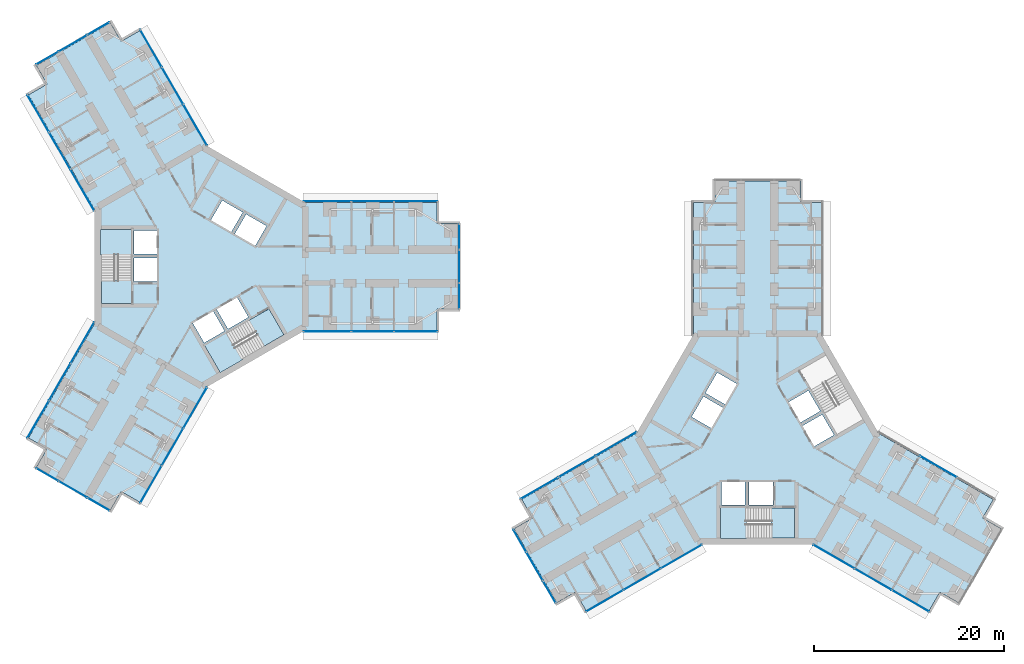
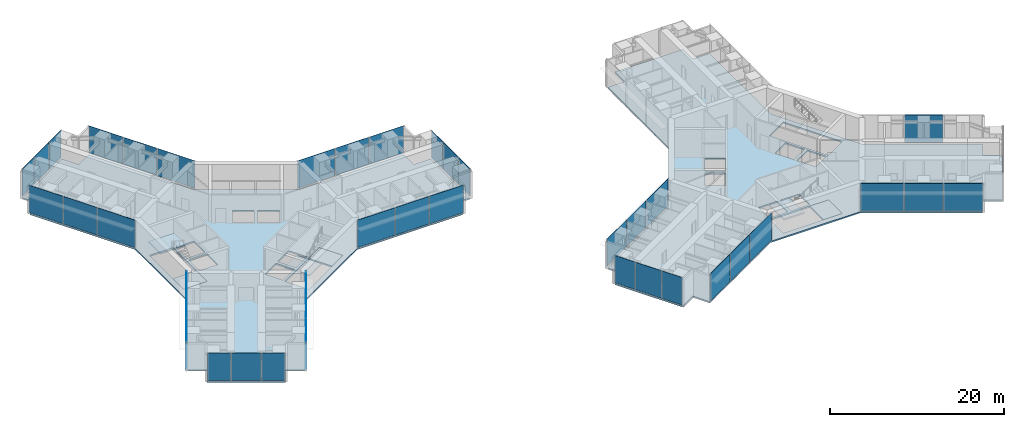
# One storey, part 14 of 24: 40 plates, 8 slabs, 17 elements without a shape of their own.
"""IFC4 building model written with IfcOpenShell, lengths in metres."""

from ifc_helpers import new_model, si_unit, direction, frame, origin, origin_2d, place, context, subcontext, project, spatial, polyline, rectangle, outline, extrude, material, layer, layer_set, type_object, element, aggregate, save


model = new_model("IFC4")

# Units and contexts
model_context = context("Model", 3, precision=1e-05, world=origin(), true_north=direction((0.0, 1.0)))
body_context = subcontext(model_context, "Body", "Model", "MODEL_VIEW")
ifc_project = project(units=[si_unit("LENGTHUNIT", "METRE"), si_unit("AREAUNIT", "SQUARE_METRE"), si_unit("VOLUMEUNIT", "CUBIC_METRE"), si_unit("PLANEANGLEUNIT", "RADIAN"), si_unit("MASSUNIT", "GRAM", prefix="KILO")], contexts=[model_context])

# Site, building, storey
site_placement = place(None, origin())
site = spatial("IfcSite", under=ifc_project, at=site_placement, CompositionType="ELEMENT")
building_placement = place(site_placement, origin())
building = spatial("IfcBuilding", under=site, at=building_placement, Name="Upepo Twin Towers", CompositionType="ELEMENT")
storey_placement = place(building_placement, frame((0.0, 0.0, 64.5)))
storey = spatial("IfcBuildingStorey", under=building, at=storey_placement, Name="L15", CompositionType="ELEMENT", Elevation=64.5)

# Curtain wall, plates
ifc_material_1 = material(Name="Aluminium and fritted glass", Category="aluminium")
curtain_wall_type = type_object("IfcCurtainWallType", Name="Tower curtain wall TW1, fritted glass", PredefinedType="NOTDEFINED", material=ifc_material_1)
curtain_wall_1_placement = place(storey_placement, origin())
curtain_wall_1 = element("IfcCurtainWall", 1, at=curtain_wall_1_placement, inside=storey, type_object=curtain_wall_type, Name="T1 L15 wing A flank L curtain wall", PredefinedType="NOTDEFINED")
ifc_material_2 = material(Name="Ceramic-fritted laminated glass", Category="glass")
ifc_layer_1 = layer(ifc_material_2, 0.031982421875)
ifc_layer_set_1 = layer_set([ifc_layer_1], Name="Fritted glass panel, 25 per cent dot frit, 32 mm double glazed")
plate_type_1 = type_object("IfcPlateType", Name="Fritted glass panel, 25 per cent dot frit, 32 mm double glazed", PredefinedType="CURTAIN_PANEL", material=ifc_layer_set_1)
plate_1_placement = place(storey_placement, frame((13.23486328125, 6.85009765625, 0.14990234375), z_axis=(0.0, 0.0, 1.0), x_axis=(1.0, 0.0, 0.0)))
plate_1 = element("IfcPlate", 2, at=plate_1_placement, type_object=plate_type_1, Name="T1 L15 wing A flank L curtain wall panel 1", PredefinedType="CURTAIN_PANEL", context=body_context, shape_type="SweptSolid", body=[
    extrude(rectangle(XDim=4.96533203125, YDim=0.031982421875, at=origin_2d()), origin(), (0.0, 0.0, 1.0), 3.85009765625),
])
plate_2_placement = place(storey_placement, frame((18.0, 6.85009765625, 0.14990234375), z_axis=(0.0, 0.0, 1.0), x_axis=(1.0, 0.0, 0.0)))
plate_2 = element("IfcPlate", 3, at=plate_2_placement, type_object=plate_type_1, Name="T1 L15 wing A flank L curtain wall panel 2", PredefinedType="CURTAIN_PANEL", context=body_context, shape_type="SweptSolid", body=[
    extrude(rectangle(XDim=4.43505859375, YDim=0.031982421875, at=origin_2d()), origin(), (0.0, 0.0, 1.0), 3.85009765625),
])
plate_3_placement = place(storey_placement, frame((22.53369140625, 6.85009765625, 0.14990234375), z_axis=(0.0, 0.0, 1.0), x_axis=(1.0, 0.0, 0.0)))
plate_3 = element("IfcPlate", 4, at=plate_3_placement, type_object=plate_type_1, Name="T1 L15 wing A flank L curtain wall panel 3", PredefinedType="CURTAIN_PANEL", context=body_context, shape_type="SweptSolid", body=[
    extrude(rectangle(XDim=4.50244140625, YDim=0.031982421875, at=origin_2d()), origin(), (0.0, 0.0, 1.0), 3.85009765625),
])
aggregate(curtain_wall_1, [plate_1, plate_2, plate_3])

curtain_wall_2_placement = place(storey_placement, origin())
curtain_wall_2 = element("IfcCurtainWall", 5, at=curtain_wall_2_placement, inside=storey, type_object=curtain_wall_type, Name="T1 L15 wing A flank R curtain wall", PredefinedType="NOTDEFINED")
plate_4_placement = place(storey_placement, frame((22.53369140625, -6.85009765625, 0.14990234375), z_axis=(0.0, 0.0, 1.0), x_axis=(-1.0, 0.0, 0.0)))
plate_4 = element("IfcPlate", 6, at=plate_4_placement, type_object=plate_type_1, Name="T1 L15 wing A flank R curtain wall panel 1", PredefinedType="CURTAIN_PANEL", context=body_context, shape_type="SweptSolid", body=[
    extrude(rectangle(XDim=4.50244140625, YDim=0.031982421875, at=origin_2d()), origin(), (0.0, 0.0, 1.0), 3.85009765625),
])
plate_5_placement = place(storey_placement, frame((18.0, -6.85009765625, 0.14990234375), z_axis=(0.0, 0.0, 1.0), x_axis=(-1.0, 0.0, 0.0)))
plate_5 = element("IfcPlate", 7, at=plate_5_placement, type_object=plate_type_1, Name="T1 L15 wing A flank R curtain wall panel 2", PredefinedType="CURTAIN_PANEL", context=body_context, shape_type="SweptSolid", body=[
    extrude(rectangle(XDim=4.43505859375, YDim=0.031982421875, at=origin_2d()), origin(), (0.0, 0.0, 1.0), 3.85009765625),
])
plate_6_placement = place(storey_placement, frame((13.23486328125, -6.85009765625, 0.14990234375), z_axis=(0.0, 0.0, 1.0), x_axis=(-1.0, 0.0, 0.0)))
plate_6 = element("IfcPlate", 8, at=plate_6_placement, type_object=plate_type_1, Name="T1 L15 wing A flank R curtain wall panel 3", PredefinedType="CURTAIN_PANEL", context=body_context, shape_type="SweptSolid", body=[
    extrude(rectangle(XDim=4.96533203125, YDim=0.031982421875, at=origin_2d()), origin(), (0.0, 0.0, 1.0), 3.85009765625),
])
aggregate(curtain_wall_2, [plate_4, plate_5, plate_6])

# Curtain wall, plate
curtain_wall_3_placement = place(storey_placement, origin())
curtain_wall_3 = element("IfcCurtainWall", 9, at=curtain_wall_3_placement, inside=storey, type_object=curtain_wall_type, Name="T1 L15 wing A nose curtain wall", PredefinedType="NOTDEFINED")
plate_7_placement = place(storey_placement, frame((27.10009765625, 0.0, 0.14990234375), z_axis=(0.0, 0.0, 1.0), x_axis=(0.0, 1.0, 0.0)))
plate_7 = element("IfcPlate", 10, at=plate_7_placement, type_object=plate_type_1, Name="T1 L15 wing A nose curtain wall panel 2", PredefinedType="CURTAIN_PANEL", context=body_context, shape_type="SweptSolid", body=[
    extrude(rectangle(XDim=3.43505859375, YDim=0.031982421875, at=origin_2d()), origin(), (0.0, 0.0, 1.0), 3.85009765625),
])

# Curtain wall, plates
curtain_wall_4_placement = place(storey_placement, origin())
curtain_wall_4 = element("IfcCurtainWall", 11, at=curtain_wall_4_placement, inside=storey, type_object=curtain_wall_type, Name="T1 L15 wing B flank L curtain wall", PredefinedType="NOTDEFINED")
plate_8_placement = place(storey_placement, frame((-12.549560546875, 8.03662109375, 0.14990234375), z_axis=(0.0, 0.0, 1.0), x_axis=(-0.500000024426, 0.866025389682, 0.0)))
plate_8 = element("IfcPlate", 12, at=plate_8_placement, type_object=plate_type_1, Name="T1 L15 wing B flank L curtain wall panel 1", PredefinedType="CURTAIN_PANEL", context=body_context, shape_type="SweptSolid", body=[
    extrude(rectangle(XDim=4.96533203125, YDim=0.031982421875, at=origin_2d()), origin(), (0.0, 0.0, 1.0), 3.85009765625),
])
plate_9_placement = place(storey_placement, frame((-14.932373046875, 12.16357421875, 0.14990234375), z_axis=(0.0, 0.0, 1.0), x_axis=(-0.500000024426, 0.866025389682, 0.0)))
plate_9 = element("IfcPlate", 13, at=plate_9_placement, type_object=plate_type_1, Name="T1 L15 wing B flank L curtain wall panel 2", PredefinedType="CURTAIN_PANEL", context=body_context, shape_type="SweptSolid", body=[
    extrude(rectangle(XDim=4.43505859375, YDim=0.031982421875, at=origin_2d()), origin(), (0.0, 0.0, 1.0), 3.85009765625),
])
plate_10_placement = place(storey_placement, frame((-17.19921875, 16.08984375, 0.14990234375), z_axis=(0.0, 0.0, 1.0), x_axis=(-0.500000024426, 0.866025389682, 0.0)))
plate_10 = element("IfcPlate", 14, at=plate_10_placement, type_object=plate_type_1, Name="T1 L15 wing B flank L curtain wall panel 3", PredefinedType="CURTAIN_PANEL", context=body_context, shape_type="SweptSolid", body=[
    extrude(rectangle(XDim=4.50244140625, YDim=0.031982421875, at=origin_2d()), origin(), (0.0, 0.0, 1.0), 3.85009765625),
])
aggregate(curtain_wall_4, [plate_8, plate_9, plate_10])

curtain_wall_5_placement = place(storey_placement, origin())
curtain_wall_5 = element("IfcCurtainWall", 15, at=curtain_wall_5_placement, inside=storey, type_object=curtain_wall_type, Name="T1 L15 wing B flank R curtain wall", PredefinedType="NOTDEFINED")
plate_11_placement = place(storey_placement, frame((-5.334716796875, 22.939697265625, 0.14990234375), z_axis=(0.0, 0.0, 1.0), x_axis=(0.500000024426, -0.866025389682, 0.0)))
plate_11 = element("IfcPlate", 16, at=plate_11_placement, type_object=plate_type_1, Name="T1 L15 wing B flank R curtain wall panel 1", PredefinedType="CURTAIN_PANEL", context=body_context, shape_type="SweptSolid", body=[
    extrude(rectangle(XDim=4.50244140625, YDim=0.031982421875, at=origin_2d()), origin(), (0.0, 0.0, 1.0), 3.85009765625),
])
plate_12_placement = place(storey_placement, frame((-3.067626953125, 19.013427734375, 0.14990234375), z_axis=(0.0, 0.0, 1.0), x_axis=(0.500000024426, -0.866025389682, 0.0)))
plate_12 = element("IfcPlate", 17, at=plate_12_placement, type_object=plate_type_1, Name="T1 L15 wing B flank R curtain wall panel 2", PredefinedType="CURTAIN_PANEL", context=body_context, shape_type="SweptSolid", body=[
    extrude(rectangle(XDim=4.43505859375, YDim=0.031982421875, at=origin_2d()), origin(), (0.0, 0.0, 1.0), 3.85009765625),
])
plate_13_placement = place(storey_placement, frame((-0.68505859375, 14.88671875, 0.14990234375), z_axis=(0.0, 0.0, 1.0), x_axis=(0.500000024426, -0.866025389682, 0.0)))
plate_13 = element("IfcPlate", 18, at=plate_13_placement, type_object=plate_type_1, Name="T1 L15 wing B flank R curtain wall panel 3", PredefinedType="CURTAIN_PANEL", context=body_context, shape_type="SweptSolid", body=[
    extrude(rectangle(XDim=4.96533203125, YDim=0.031982421875, at=origin_2d()), origin(), (0.0, 0.0, 1.0), 3.85009765625),
])
aggregate(curtain_wall_5, [plate_11, plate_12, plate_13])

# Curtain wall, plate
curtain_wall_6_placement = place(storey_placement, origin())
curtain_wall_6 = element("IfcCurtainWall", 19, at=curtain_wall_6_placement, inside=storey, type_object=curtain_wall_type, Name="T1 L15 wing B nose curtain wall", PredefinedType="NOTDEFINED")
plate_14_placement = place(storey_placement, frame((-13.550048828125, 23.46923828125, 0.14990234375), z_axis=(0.0, 0.0, 1.0), x_axis=(-0.866025386174, -0.500000030502, 0.0)))
plate_14 = element("IfcPlate", 20, at=plate_14_placement, type_object=plate_type_1, Name="T1 L15 wing B nose curtain wall panel 2", PredefinedType="CURTAIN_PANEL", context=body_context, shape_type="SweptSolid", body=[
    extrude(rectangle(XDim=3.43505859375, YDim=0.031982421875, at=origin_2d()), origin(), (0.0, 0.0, 1.0), 3.85009765625),
])

# Curtain wall, plates
curtain_wall_7_placement = place(storey_placement, origin())
curtain_wall_7 = element("IfcCurtainWall", 21, at=curtain_wall_7_placement, inside=storey, type_object=curtain_wall_type, Name="T1 L15 wing C flank L curtain wall", PredefinedType="NOTDEFINED")
plate_15_placement = place(storey_placement, frame((-0.68505859375, -14.88671875, 0.14990234375), z_axis=(0.0, 0.0, 1.0), x_axis=(-0.500000024426, -0.866025389682, 0.0)))
plate_15 = element("IfcPlate", 22, at=plate_15_placement, type_object=plate_type_1, Name="T1 L15 wing C flank L curtain wall panel 1", PredefinedType="CURTAIN_PANEL", context=body_context, shape_type="SweptSolid", body=[
    extrude(rectangle(XDim=4.96533203125, YDim=0.031982421875, at=origin_2d()), origin(), (0.0, 0.0, 1.0), 3.85009765625),
])
plate_16_placement = place(storey_placement, frame((-3.067626953125, -19.013427734375, 0.14990234375), z_axis=(0.0, 0.0, 1.0), x_axis=(-0.500000024426, -0.866025389682, 0.0)))
plate_16 = element("IfcPlate", 23, at=plate_16_placement, type_object=plate_type_1, Name="T1 L15 wing C flank L curtain wall panel 2", PredefinedType="CURTAIN_PANEL", context=body_context, shape_type="SweptSolid", body=[
    extrude(rectangle(XDim=4.43505859375, YDim=0.031982421875, at=origin_2d()), origin(), (0.0, 0.0, 1.0), 3.85009765625),
])
plate_17_placement = place(storey_placement, frame((-5.334716796875, -22.939697265625, 0.14990234375), z_axis=(0.0, 0.0, 1.0), x_axis=(-0.500000024426, -0.866025389682, 0.0)))
plate_17 = element("IfcPlate", 24, at=plate_17_placement, type_object=plate_type_1, Name="T1 L15 wing C flank L curtain wall panel 3", PredefinedType="CURTAIN_PANEL", context=body_context, shape_type="SweptSolid", body=[
    extrude(rectangle(XDim=4.50244140625, YDim=0.031982421875, at=origin_2d()), origin(), (0.0, 0.0, 1.0), 3.85009765625),
])
aggregate(curtain_wall_7, [plate_15, plate_16, plate_17])

curtain_wall_8_placement = place(storey_placement, origin())
curtain_wall_8 = element("IfcCurtainWall", 25, at=curtain_wall_8_placement, inside=storey, type_object=curtain_wall_type, Name="T1 L15 wing C flank R curtain wall", PredefinedType="NOTDEFINED")
plate_18_placement = place(storey_placement, frame((-17.19921875, -16.08984375, 0.14990234375), z_axis=(0.0, 0.0, 1.0), x_axis=(0.500000024426, 0.866025389682, 0.0)))
plate_18 = element("IfcPlate", 26, at=plate_18_placement, type_object=plate_type_1, Name="T1 L15 wing C flank R curtain wall panel 1", PredefinedType="CURTAIN_PANEL", context=body_context, shape_type="SweptSolid", body=[
    extrude(rectangle(XDim=4.50244140625, YDim=0.031982421875, at=origin_2d()), origin(), (0.0, 0.0, 1.0), 3.85009765625),
])
plate_19_placement = place(storey_placement, frame((-14.932373046875, -12.16357421875, 0.14990234375), z_axis=(0.0, 0.0, 1.0), x_axis=(0.500000024426, 0.866025389682, 0.0)))
plate_19 = element("IfcPlate", 27, at=plate_19_placement, type_object=plate_type_1, Name="T1 L15 wing C flank R curtain wall panel 2", PredefinedType="CURTAIN_PANEL", context=body_context, shape_type="SweptSolid", body=[
    extrude(rectangle(XDim=4.43505859375, YDim=0.031982421875, at=origin_2d()), origin(), (0.0, 0.0, 1.0), 3.85009765625),
])
plate_20_placement = place(storey_placement, frame((-12.549560546875, -8.03662109375, 0.14990234375), z_axis=(0.0, 0.0, 1.0), x_axis=(0.500000024426, 0.866025389682, 0.0)))
plate_20 = element("IfcPlate", 28, at=plate_20_placement, type_object=plate_type_1, Name="T1 L15 wing C flank R curtain wall panel 3", PredefinedType="CURTAIN_PANEL", context=body_context, shape_type="SweptSolid", body=[
    extrude(rectangle(XDim=4.96533203125, YDim=0.031982421875, at=origin_2d()), origin(), (0.0, 0.0, 1.0), 3.85009765625),
])
aggregate(curtain_wall_8, [plate_18, plate_19, plate_20])

# Curtain wall, plate
curtain_wall_9_placement = place(storey_placement, origin())
curtain_wall_9 = element("IfcCurtainWall", 29, at=curtain_wall_9_placement, inside=storey, type_object=curtain_wall_type, Name="T1 L15 wing C nose curtain wall", PredefinedType="NOTDEFINED")
plate_21_placement = place(storey_placement, frame((-13.550048828125, -23.46923828125, 0.14990234375), z_axis=(0.0, 0.0, 1.0), x_axis=(0.866025386174, -0.500000030502, 0.0)))
plate_21 = element("IfcPlate", 30, at=plate_21_placement, type_object=plate_type_1, Name="T1 L15 wing C nose curtain wall panel 2", PredefinedType="CURTAIN_PANEL", context=body_context, shape_type="SweptSolid", body=[
    extrude(rectangle(XDim=3.43505859375, YDim=0.031982421875, at=origin_2d()), origin(), (0.0, 0.0, 1.0), 3.85009765625),
])

# Curtain wall, plates
curtain_wall_10_placement = place(storey_placement, origin())
curtain_wall_10 = element("IfcCurtainWall", 31, at=curtain_wall_10_placement, inside=storey, type_object=curtain_wall_type, Name="T2 L15 wing B flank L curtain wall", PredefinedType="NOTDEFINED")
plate_22_placement = place(storey_placement, frame((50.46337890625, -30.549560546875, 0.14990234375), z_axis=(0.0, 0.0, 1.0), x_axis=(-0.866025389682, -0.500000024426, 0.0)))
plate_22 = element("IfcPlate", 32, at=plate_22_placement, type_object=plate_type_1, Name="T2 L15 wing B flank L curtain wall panel 1", PredefinedType="CURTAIN_PANEL", context=body_context, shape_type="SweptSolid", body=[
    extrude(rectangle(XDim=4.96533203125, YDim=0.031982421875, at=origin_2d()), origin(), (0.0, 0.0, 1.0), 3.85009765625),
])
plate_23_placement = place(storey_placement, frame((46.33642578125, -32.932373046875, 0.14990234375), z_axis=(0.0, 0.0, 1.0), x_axis=(-0.866025389682, -0.500000024426, 0.0)))
plate_23 = element("IfcPlate", 33, at=plate_23_placement, type_object=plate_type_1, Name="T2 L15 wing B flank L curtain wall panel 2", PredefinedType="CURTAIN_PANEL", context=body_context, shape_type="SweptSolid", body=[
    extrude(rectangle(XDim=4.43505859375, YDim=0.031982421875, at=origin_2d()), origin(), (0.0, 0.0, 1.0), 3.85009765625),
])
plate_24_placement = place(storey_placement, frame((42.41015625, -35.19921875, 0.14990234375), z_axis=(0.0, 0.0, 1.0), x_axis=(-0.866025389682, -0.500000024426, 0.0)))
plate_24 = element("IfcPlate", 34, at=plate_24_placement, type_object=plate_type_1, Name="T2 L15 wing B flank L curtain wall panel 3", PredefinedType="CURTAIN_PANEL", context=body_context, shape_type="SweptSolid", body=[
    extrude(rectangle(XDim=4.50244140625, YDim=0.031982421875, at=origin_2d()), origin(), (0.0, 0.0, 1.0), 3.85009765625),
])
aggregate(curtain_wall_10, [plate_22, plate_23, plate_24])

curtain_wall_11_placement = place(storey_placement, origin())
curtain_wall_11 = element("IfcCurtainWall", 35, at=curtain_wall_11_placement, inside=storey, type_object=curtain_wall_type, Name="T2 L15 wing B flank R curtain wall", PredefinedType="NOTDEFINED")
plate_25_placement = place(storey_placement, frame((35.560302734375, -23.334716796875, 0.14990234375), z_axis=(0.0, 0.0, 1.0), x_axis=(0.866025389682, 0.500000024426, 0.0)))
plate_25 = element("IfcPlate", 36, at=plate_25_placement, type_object=plate_type_1, Name="T2 L15 wing B flank R curtain wall panel 1", PredefinedType="CURTAIN_PANEL", context=body_context, shape_type="SweptSolid", body=[
    extrude(rectangle(XDim=4.50244140625, YDim=0.031982421875, at=origin_2d()), origin(), (0.0, 0.0, 1.0), 3.85009765625),
])
plate_26_placement = place(storey_placement, frame((39.486572265625, -21.067626953125, 0.14990234375), z_axis=(0.0, 0.0, 1.0), x_axis=(0.866025389682, 0.500000024426, 0.0)))
plate_26 = element("IfcPlate", 37, at=plate_26_placement, type_object=plate_type_1, Name="T2 L15 wing B flank R curtain wall panel 2", PredefinedType="CURTAIN_PANEL", context=body_context, shape_type="SweptSolid", body=[
    extrude(rectangle(XDim=4.43505859375, YDim=0.031982421875, at=origin_2d()), origin(), (0.0, 0.0, 1.0), 3.85009765625),
])
plate_27_placement = place(storey_placement, frame((43.61328125, -18.68505859375, 0.14990234375), z_axis=(0.0, 0.0, 1.0), x_axis=(0.866025389682, 0.500000024426, 0.0)))
plate_27 = element("IfcPlate", 38, at=plate_27_placement, type_object=plate_type_1, Name="T2 L15 wing B flank R curtain wall panel 3", PredefinedType="CURTAIN_PANEL", context=body_context, shape_type="SweptSolid", body=[
    extrude(rectangle(XDim=4.96533203125, YDim=0.031982421875, at=origin_2d()), origin(), (0.0, 0.0, 1.0), 3.85009765625),
])
aggregate(curtain_wall_11, [plate_25, plate_26, plate_27])

# Curtain wall, plate
curtain_wall_12_placement = place(storey_placement, origin())
curtain_wall_12 = element("IfcCurtainWall", 39, at=curtain_wall_12_placement, inside=storey, type_object=curtain_wall_type, Name="T2 L15 wing B nose curtain wall", PredefinedType="NOTDEFINED")
plate_28_placement = place(storey_placement, frame((35.03076171875, -31.550048828125, 0.14990234375), z_axis=(0.0, 0.0, 1.0), x_axis=(0.500000030502, -0.866025386174, 0.0)))
plate_28 = element("IfcPlate", 40, at=plate_28_placement, type_object=plate_type_1, Name="T2 L15 wing B nose curtain wall panel 2", PredefinedType="CURTAIN_PANEL", context=body_context, shape_type="SweptSolid", body=[
    extrude(rectangle(XDim=3.43505859375, YDim=0.031982421875, at=origin_2d()), origin(), (0.0, 0.0, 1.0), 3.85009765625),
])

curtain_wall_13_placement = place(storey_placement, origin())
curtain_wall_13 = element("IfcCurtainWall", 41, at=curtain_wall_13_placement, inside=storey, type_object=curtain_wall_type, Name="T2 L15 wing C flank L curtain wall", PredefinedType="NOTDEFINED")
plate_29_placement = place(storey_placement, frame((77.513427734375, -21.067626953125, 0.14990234375), z_axis=(0.0, 0.0, 1.0), x_axis=(0.866025389682, -0.500000024426, 0.0)))
plate_29 = element("IfcPlate", 42, at=plate_29_placement, type_object=plate_type_1, Name="T2 L15 wing C flank L curtain wall panel 2", PredefinedType="CURTAIN_PANEL", context=body_context, shape_type="SweptSolid", body=[
    extrude(rectangle(XDim=4.43505859375, YDim=0.031982421875, at=origin_2d()), origin(), (0.0, 0.0, 1.0), 3.85009765625),
])
aggregate(curtain_wall_13, [plate_29])

# Curtain wall, plates
curtain_wall_14_placement = place(storey_placement, origin())
curtain_wall_14 = element("IfcCurtainWall", 43, at=curtain_wall_14_placement, inside=storey, type_object=curtain_wall_type, Name="T2 L15 wing C flank R curtain wall", PredefinedType="NOTDEFINED")
plate_30_placement = place(storey_placement, frame((74.58984375, -35.19921875, 0.14990234375), z_axis=(0.0, 0.0, 1.0), x_axis=(-0.866025389682, 0.500000024426, 0.0)))
plate_30 = element("IfcPlate", 44, at=plate_30_placement, type_object=plate_type_1, Name="T2 L15 wing C flank R curtain wall panel 1", PredefinedType="CURTAIN_PANEL", context=body_context, shape_type="SweptSolid", body=[
    extrude(rectangle(XDim=4.50244140625, YDim=0.031982421875, at=origin_2d()), origin(), (0.0, 0.0, 1.0), 3.85009765625),
])
plate_31_placement = place(storey_placement, frame((70.66357421875, -32.932373046875, 0.14990234375), z_axis=(0.0, 0.0, 1.0), x_axis=(-0.866025389682, 0.500000024426, 0.0)))
plate_31 = element("IfcPlate", 45, at=plate_31_placement, type_object=plate_type_1, Name="T2 L15 wing C flank R curtain wall panel 2", PredefinedType="CURTAIN_PANEL", context=body_context, shape_type="SweptSolid", body=[
    extrude(rectangle(XDim=4.43505859375, YDim=0.031982421875, at=origin_2d()), origin(), (0.0, 0.0, 1.0), 3.85009765625),
])
plate_32_placement = place(storey_placement, frame((66.53662109375, -30.549560546875, 0.14990234375), z_axis=(0.0, 0.0, 1.0), x_axis=(-0.866025389682, 0.500000024426, 0.0)))
plate_32 = element("IfcPlate", 46, at=plate_32_placement, type_object=plate_type_1, Name="T2 L15 wing C flank R curtain wall panel 3", PredefinedType="CURTAIN_PANEL", context=body_context, shape_type="SweptSolid", body=[
    extrude(rectangle(XDim=4.96533203125, YDim=0.031982421875, at=origin_2d()), origin(), (0.0, 0.0, 1.0), 3.85009765625),
])
aggregate(curtain_wall_14, [plate_30, plate_31, plate_32])

# Plate
ifc_material_3 = material(Name="Clear laminated glass in opening sash", Category="glass")
ifc_layer_2 = layer(ifc_material_3, 0.031982421875)
ifc_layer_set_2 = layer_set([ifc_layer_2], Name="Operable glass panel, 32 mm double glazed")
plate_type_2 = type_object("IfcPlateType", Name="Operable glass panel, 32 mm double glazed", PredefinedType="CURTAIN_PANEL", material=ifc_layer_set_2)
plate_33_placement = place(storey_placement, frame((27.10009765625, -3.108642578125, 0.14990234375), z_axis=(0.0, 0.0, 1.0), x_axis=(0.0, 1.0, 0.0)))
plate_33 = element("IfcPlate", 47, at=plate_33_placement, type_object=plate_type_2, Name="T1 L15 wing A nose curtain wall panel 1", PredefinedType="CURTAIN_PANEL", context=body_context, shape_type="SweptSolid", body=[
    extrude(rectangle(XDim=2.652587890625, YDim=0.031982421875, at=origin_2d()), origin(), (0.0, 0.0, 1.0), 3.85009765625),
])

plate_34_placement = place(storey_placement, frame((27.10009765625, 3.108642578125, 0.14990234375), z_axis=(0.0, 0.0, 1.0), x_axis=(0.0, 1.0, 0.0)))
plate_34 = element("IfcPlate", 48, at=plate_34_placement, type_object=plate_type_2, Name="T1 L15 wing A nose curtain wall panel 3", PredefinedType="CURTAIN_PANEL", context=body_context, shape_type="SweptSolid", body=[
    extrude(rectangle(XDim=2.652587890625, YDim=0.031982421875, at=origin_2d()), origin(), (0.0, 0.0, 1.0), 3.85009765625),
])

aggregate(curtain_wall_3, [plate_33, plate_7, plate_34])

plate_35_placement = place(storey_placement, frame((-10.857666015625, 25.023681640625, 0.14990234375), z_axis=(0.0, 0.0, 1.0), x_axis=(-0.866025386174, -0.500000030502, 0.0)))
plate_35 = element("IfcPlate", 49, at=plate_35_placement, type_object=plate_type_2, Name="T1 L15 wing B nose curtain wall panel 1", PredefinedType="CURTAIN_PANEL", context=body_context, shape_type="SweptSolid", body=[
    extrude(rectangle(XDim=2.652587890625, YDim=0.031982421875, at=origin_2d()), origin(), (0.0, 0.0, 1.0), 3.85009765625),
])

plate_36_placement = place(storey_placement, frame((-16.2421875, 21.914794921875, 0.14990234375), z_axis=(0.0, 0.0, 1.0), x_axis=(-0.866025386174, -0.500000030502, 0.0)))
plate_36 = element("IfcPlate", 50, at=plate_36_placement, type_object=plate_type_2, Name="T1 L15 wing B nose curtain wall panel 3", PredefinedType="CURTAIN_PANEL", context=body_context, shape_type="SweptSolid", body=[
    extrude(rectangle(XDim=2.652587890625, YDim=0.031982421875, at=origin_2d()), origin(), (0.0, 0.0, 1.0), 3.85009765625),
])

aggregate(curtain_wall_6, [plate_35, plate_14, plate_36])

plate_37_placement = place(storey_placement, frame((-16.2421875, -21.914794921875, 0.14990234375), z_axis=(0.0, 0.0, 1.0), x_axis=(0.866025386174, -0.500000030502, 0.0)))
plate_37 = element("IfcPlate", 51, at=plate_37_placement, type_object=plate_type_2, Name="T1 L15 wing C nose curtain wall panel 1", PredefinedType="CURTAIN_PANEL", context=body_context, shape_type="SweptSolid", body=[
    extrude(rectangle(XDim=2.652587890625, YDim=0.031982421875, at=origin_2d()), origin(), (0.0, 0.0, 1.0), 3.85009765625),
])

plate_38_placement = place(storey_placement, frame((-10.857666015625, -25.023681640625, 0.14990234375), z_axis=(0.0, 0.0, 1.0), x_axis=(0.866025386174, -0.500000030502, 0.0)))
plate_38 = element("IfcPlate", 52, at=plate_38_placement, type_object=plate_type_2, Name="T1 L15 wing C nose curtain wall panel 3", PredefinedType="CURTAIN_PANEL", context=body_context, shape_type="SweptSolid", body=[
    extrude(rectangle(XDim=2.652587890625, YDim=0.031982421875, at=origin_2d()), origin(), (0.0, 0.0, 1.0), 3.85009765625),
])

aggregate(curtain_wall_9, [plate_37, plate_21, plate_38])

plate_39_placement = place(storey_placement, frame((33.476318359375, -28.857666015625, 0.14990234375), z_axis=(0.0, 0.0, 1.0), x_axis=(0.500000030502, -0.866025386174, 0.0)))
plate_39 = element("IfcPlate", 53, at=plate_39_placement, type_object=plate_type_2, Name="T2 L15 wing B nose curtain wall panel 1", PredefinedType="CURTAIN_PANEL", context=body_context, shape_type="SweptSolid", body=[
    extrude(rectangle(XDim=2.652587890625, YDim=0.031982421875, at=origin_2d()), origin(), (0.0, 0.0, 1.0), 3.85009765625),
])

plate_40_placement = place(storey_placement, frame((36.585205078125, -34.2421875, 0.14990234375), z_axis=(0.0, 0.0, 1.0), x_axis=(0.500000030502, -0.866025386174, 0.0)))
plate_40 = element("IfcPlate", 54, at=plate_40_placement, type_object=plate_type_2, Name="T2 L15 wing B nose curtain wall panel 3", PredefinedType="CURTAIN_PANEL", context=body_context, shape_type="SweptSolid", body=[
    extrude(rectangle(XDim=2.652587890625, YDim=0.031982421875, at=origin_2d()), origin(), (0.0, 0.0, 1.0), 3.85009765625),
])

aggregate(curtain_wall_12, [plate_39, plate_28, plate_40])

# Stair, slabs
ifc_material_4 = material(Name="Concrete C40/50", Category="concrete")
stair_type = type_object("IfcStairType", Name="Core stair, two flights", PredefinedType="HALF_TURN_STAIR", material=ifc_material_4)
stair_1_placement = place(storey_placement, origin())
stair_1 = element("IfcStair", 55, at=stair_1_placement, inside=storey, type_object=stair_type, Name="T1 stair S1 L15", PredefinedType="HALF_TURN_STAIR")
ifc_material_5 = material(Name="Concrete C40/50", Category="concrete")
ifc_layer_3 = layer(ifc_material_5, 0.199951171875)
ifc_layer_set_3 = layer_set([ifc_layer_3], Name="Concrete C40/50")
slab_type_1 = type_object("IfcSlabType", Name="Stair landing 200 RC", PredefinedType="LANDING", material=ifc_layer_set_3)
slab_1_placement = place(storey_placement, frame((0.0, 0.0, -0.199951171875)))
slab_1 = element("IfcSlab", 56, at=slab_1_placement, type_object=slab_type_1, Name="Stair S1 landing 1", PredefinedType="LANDING", context=body_context, shape_type="SweptSolid", body=[
    extrude(outline(polyline([(-7.39990234375, -1.419921875), (-10.558349609375, -1.419921875), (-10.558349609375, -3.89990234375), (-7.39990234375, -3.89990234375), (-7.39990234375, -1.419921875)])), origin(), (0.0, 0.0, 1.0), 0.199951171875),
])
slab_2_placement = place(storey_placement, frame((0.0, 0.0, 1.800048828125)))
slab_2 = element("IfcSlab", 57, at=slab_2_placement, type_object=slab_type_1, Name="Stair S1 landing 2", PredefinedType="LANDING", context=body_context, shape_type="SweptSolid", body=[
    extrude(outline(polyline([(-7.300048828125, 3.89990234375), (-10.658447265625, 3.89990234375), (-10.658447265625, 1.179931640625), (-7.300048828125, 1.179931640625), (-7.300048828125, 3.89990234375)])), origin(), (0.0, 0.0, 1.0), 0.199951171875),
])
aggregate(stair_1, [slab_1, slab_2])

stair_2_placement = place(storey_placement, origin())
stair_2 = element("IfcStair", 58, at=stair_2_placement, inside=storey, type_object=stair_type, Name="T1 stair S2 L15", PredefinedType="HALF_TURN_STAIR")
slab_3_placement = place(storey_placement, frame((0.0, 0.0, -0.199951171875)))
slab_3 = element("IfcSlab", 59, at=slab_3_placement, type_object=slab_type_1, Name="Stair S2 landing 1", PredefinedType="LANDING", context=body_context, shape_type="SweptSolid", body=[
    extrude(outline(polyline([(4.9296875, -5.698486328125), (6.509033203125, -8.433837890625), (8.65673828125, -7.19384765625), (7.077392578125, -4.45849609375), (4.9296875, -5.698486328125)])), origin(), (0.0, 0.0, 1.0), 0.199951171875),
])
slab_4_placement = place(storey_placement, frame((0.0, 0.0, 1.800048828125)))
slab_4 = element("IfcSlab", 60, at=slab_4_placement, type_object=slab_type_1, Name="Stair S2 landing 2", PredefinedType="LANDING", context=body_context, shape_type="SweptSolid", body=[
    extrude(outline(polyline([(0.2724609375, -8.27197265625), (1.95166015625, -11.180419921875), (4.307373046875, -9.8203125), (2.628173828125, -6.911865234375), (0.2724609375, -8.27197265625)])), origin(), (0.0, 0.0, 1.0), 0.199951171875),
])
aggregate(stair_2, [slab_3, slab_4])

stair_3_placement = place(storey_placement, origin())
stair_3 = element("IfcStair", 61, at=stair_3_placement, inside=storey, type_object=stair_type, Name="T2 stair S1 L15", PredefinedType="HALF_TURN_STAIR")
slab_5_placement = place(storey_placement, frame((0.0, 0.0, -0.199951171875)))
slab_5 = element("IfcSlab", 62, at=slab_5_placement, type_object=slab_type_1, Name="Stair S1 landing 1", PredefinedType="LANDING", context=body_context, shape_type="SweptSolid", body=[
    extrude(outline(polyline([(59.919921875, -25.39990234375), (59.919921875, -28.558349609375), (62.39990234375, -28.558349609375), (62.39990234375, -25.39990234375), (59.919921875, -25.39990234375)])), origin(), (0.0, 0.0, 1.0), 0.199951171875),
])
slab_6_placement = place(storey_placement, frame((0.0, 0.0, 1.800048828125)))
slab_6 = element("IfcSlab", 63, at=slab_6_placement, type_object=slab_type_1, Name="Stair S1 landing 2", PredefinedType="LANDING", context=body_context, shape_type="SweptSolid", body=[
    extrude(outline(polyline([(54.60009765625, -25.300048828125), (54.60009765625, -28.658447265625), (57.320068359375, -28.658447265625), (57.320068359375, -25.300048828125), (54.60009765625, -25.300048828125)])), origin(), (0.0, 0.0, 1.0), 0.199951171875),
])
aggregate(stair_3, [slab_5, slab_6])

# Slabs
ifc_material_6 = material(Name="Concrete C40/50", Category="concrete")
ifc_layer_4 = layer(ifc_material_6, 0.199951171875)
ifc_layer_set_4 = layer_set([ifc_layer_4], Name="Concrete C40/50")
slab_type_2 = type_object("IfcSlabType", Name="Tower floor slab 200 RC", PredefinedType="FLOOR", material=ifc_layer_set_4)
slab_7_placement = place(storey_placement, frame((0.0, 0.0, -0.199951171875)))
element("IfcSlab", 64, at=slab_7_placement, inside=storey, type_object=slab_type_2, Name="T1 L15 floor slab", PredefinedType="FLOOR", context=body_context, shape_type="SweptSolid", body=[
    extrude(outline(polyline([(-8.477783203125, -23.68408203125), (-9.602783203125, -25.632568359375), (-17.397216796875, -21.132568359375), (-16.272216796875, -19.18408203125), (-18.220703125, -18.05908203125), (-11.25830078125, -6.0), (-11.25830078125, 6.0), (-18.220703125, 18.05908203125), (-16.272216796875, 19.18408203125), (-17.397216796875, 21.132568359375), (-9.602783203125, 25.632568359375), (-8.477783203125, 23.68408203125), (-6.529296875, 24.80908203125), (0.43310546875, 12.75), (10.825439453125, 6.75), (24.75, 6.75), (24.75, 4.5), (27.0, 4.5), (27.0, -4.5), (24.75, -4.5), (24.75, -6.75), (10.825439453125, -6.75), (0.43310546875, -12.75), (-6.529296875, -24.80908203125), (-8.477783203125, -23.68408203125)]), holes=[polyline([(5.640869140625, 2.17041015625), (6.8408203125, 4.248779296875), (4.67578125, 5.498779296875), (3.475830078125, 3.42041015625), (5.640869140625, 2.17041015625)]), polyline([(3.12939453125, 3.620361328125), (4.329345703125, 5.69873046875), (2.164306640625, 6.94873046875), (0.96435546875, 4.870361328125), (3.12939453125, 3.620361328125)]), polyline([(-4.699951171875, 3.800048828125), (-7.10009765625, 3.800048828125), (-7.10009765625, 1.300048828125), (-4.699951171875, 1.300048828125), (-4.699951171875, 3.800048828125)]), polyline([(-4.699951171875, 0.89990234375), (-7.10009765625, 0.89990234375), (-7.10009765625, -1.60009765625), (-4.699951171875, -1.60009765625), (-4.699951171875, 0.89990234375)]), polyline([(-7.39990234375, 3.89990234375), (-10.558349609375, 3.89990234375), (-10.558349609375, -3.89990234375), (-7.39990234375, -3.89990234375), (-7.39990234375, 3.89990234375)]), polyline([(-0.94091796875, -5.97021484375), (0.259033203125, -8.048828125), (2.424072265625, -6.798828125), (1.22412109375, -4.72021484375), (-0.94091796875, -5.97021484375)]), polyline([(1.570556640625, -4.520263671875), (2.7705078125, -6.598876953125), (4.935546875, -5.348876953125), (3.735595703125, -3.270263671875), (1.570556640625, -4.520263671875)]), polyline([(0.322509765625, -8.358642578125), (1.901611328125, -11.09375), (8.65673828125, -7.19384765625), (7.077392578125, -4.45849609375), (0.322509765625, -8.358642578125)])]), origin(), (0.0, 0.0, 1.0), 0.199951171875),
])
slab_8_placement = place(storey_placement, frame((0.0, 0.0, -0.199951171875)))
element("IfcSlab", 65, at=slab_8_placement, inside=storey, type_object=slab_type_2, Name="T2 L15 floor slab", PredefinedType="FLOOR", context=body_context, shape_type="SweptSolid", body=[
    extrude(outline(polyline([(82.18408203125, -26.477783203125), (84.132568359375, -27.602783203125), (79.632568359375, -35.397216796875), (77.68408203125, -34.272216796875), (76.55908203125, -36.220703125), (64.5, -29.25830078125), (52.5, -29.25830078125), (40.44091796875, -36.220703125), (39.31591796875, -34.272216796875), (37.367431640625, -35.397216796875), (32.867431640625, -27.602783203125), (34.81591796875, -26.477783203125), (33.69091796875, -24.529296875), (45.75, -17.56689453125), (51.75, -7.174560546875), (51.75, 6.75), (54.0, 6.75), (54.0, 9.0), (63.0, 9.0), (63.0, 6.75), (65.25, 6.75), (65.25, -7.174560546875), (71.25, -17.56689453125), (83.30908203125, -24.529296875), (82.18408203125, -26.477783203125)]), holes=[polyline([(56.32958984375, -12.359130859375), (54.251220703125, -11.1591796875), (53.001220703125, -13.32421875), (55.07958984375, -14.524169921875), (56.32958984375, -12.359130859375)]), polyline([(54.879638671875, -14.87060546875), (52.80126953125, -13.670654296875), (51.55126953125, -15.835693359375), (53.629638671875, -17.03564453125), (54.879638671875, -14.87060546875)]), polyline([(54.699951171875, -22.699951171875), (54.699951171875, -25.10009765625), (57.199951171875, -25.10009765625), (57.199951171875, -22.699951171875), (54.699951171875, -22.699951171875)]), polyline([(57.60009765625, -22.699951171875), (57.60009765625, -25.10009765625), (60.10009765625, -25.10009765625), (60.10009765625, -22.699951171875), (57.60009765625, -22.699951171875)]), polyline([(54.60009765625, -25.39990234375), (54.60009765625, -28.558349609375), (62.39990234375, -28.558349609375), (62.39990234375, -25.39990234375), (54.60009765625, -25.39990234375)]), polyline([(64.47021484375, -18.94091796875), (66.548828125, -17.740966796875), (65.298828125, -15.575927734375), (63.22021484375, -16.77587890625), (64.47021484375, -18.94091796875)]), polyline([(63.020263671875, -16.429443359375), (65.098876953125, -15.2294921875), (63.848876953125, -13.064453125), (61.770263671875, -14.264404296875), (63.020263671875, -16.429443359375)]), polyline([(66.858642578125, -17.677490234375), (69.59375, -16.098388671875), (65.69384765625, -9.34326171875), (62.95849609375, -10.922607421875), (66.858642578125, -17.677490234375)])]), origin(), (0.0, 0.0, 1.0), 0.199951171875),
])

save(model, "model.ifc")
